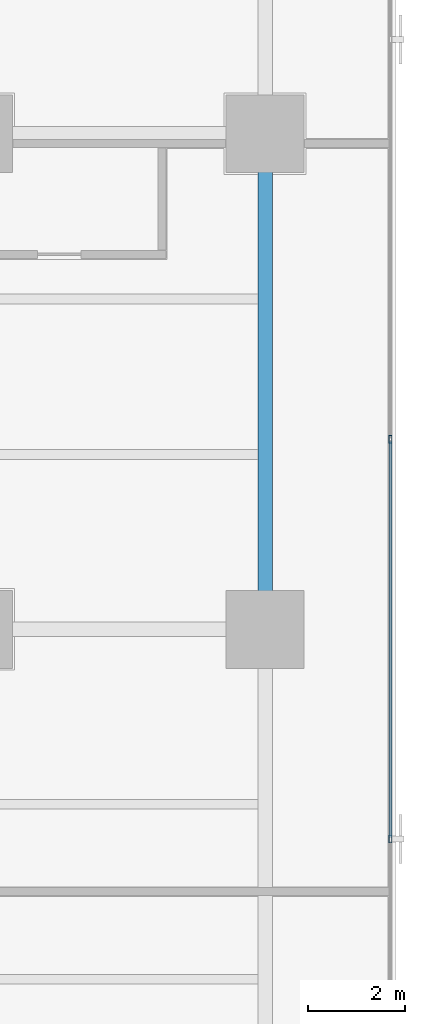
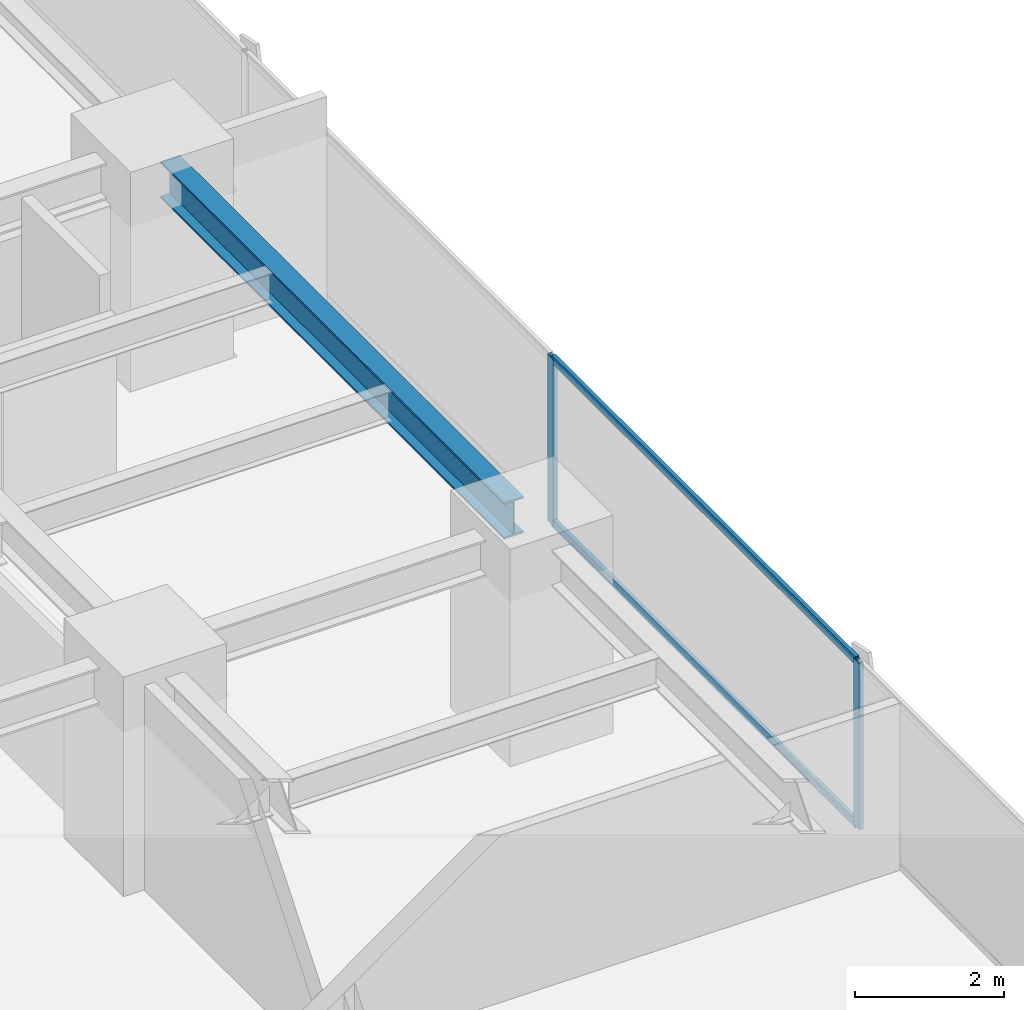
# One storey, part 16 of 37: 4 members, 1 beam, 1 element without a shape of its own.
"""IFC4 building model written with IfcOpenShell, lengths in metres."""

from ifc_helpers import new_model, si_unit, direction, frame, origin, origin_2d, place, context, subcontext, project, spatial, hollow_rectangle, i_section, extrude, source, transform, mapped, material, layer, layer_set, material_profile, profile_set, type_object, element, aggregate, save


model = new_model("IFC4")

# Units and contexts
model_context = context("Model", 3, precision=1e-05, world=origin(), true_north=direction((0.0, 1.0)))
body_context = subcontext(model_context, "Body", "Model", "MODEL_VIEW")
ifc_project = project(units=[si_unit("LENGTHUNIT", "METRE"), si_unit("AREAUNIT", "SQUARE_METRE"), si_unit("VOLUMEUNIT", "CUBIC_METRE"), si_unit("PLANEANGLEUNIT", "RADIAN"), si_unit("MASSUNIT", "GRAM", prefix="KILO")], contexts=[model_context])

# Site, building, storey
site_placement = place(None, origin())
site = spatial("IfcSite", under=ifc_project, at=site_placement, CompositionType="ELEMENT")
building_placement = place(site_placement, origin())
building = spatial("IfcBuilding", under=site, at=building_placement, Name="Sumidabori Civic Tower", CompositionType="ELEMENT")
storey_placement = place(building_placement, frame((0.0, 0.0, 110.0)))
storey = spatial("IfcBuildingStorey", under=building, at=storey_placement, Name="L28", CompositionType="ELEMENT", Elevation=110.0)

# Beam
ifc_material_1 = material(Name="Steel SN490", Category="steel")
ifc_material_profile_1 = material_profile(ifc_material_1, i_section(OverallWidth=0.300048828125, OverallDepth=0.60009765625, WebThickness=0.015380859375, FlangeThickness=0.030029296875, at=origin_2d()), Name="HE 600 B")
ifc_profile_set_1 = profile_set([ifc_material_profile_1], Name="Steel SN490")
beam_type = type_object("IfcBeamType", Name="BM-GIRD-600", PredefinedType="BEAM", material=ifc_profile_set_1)
shared_shape_1 = source(origin(), body_context, "Body", "SweptSolid", [
    extrude(i_section(OverallWidth=0.300048828125, OverallDepth=0.60009765625, WebThickness=0.015380859375, FlangeThickness=0.030029296875, at=origin_2d()), origin(), (0.0, 0.0, 1.0), 9.239990234375),
])
beam_placement = place(storey_placement, frame((22.800048828125, 0.47998046875, 3.06005859375), z_axis=(0.0, 1.0, 0.0), x_axis=(-1.0, 0.0, 0.0)))
element("IfcBeam", 1, at=beam_placement, inside=storey, type_object=beam_type, Name="Primary Girder L28 GY-41", PredefinedType="BEAM", context=body_context, shape_type="MappedRepresentation", body=[
    mapped(shared_shape_1, transform((0.0, 0.0, 0.0), x_axis=(1.0, 0.0, 0.0), y_axis=(0.0, 1.0, 0.0), z_axis=(0.0, 0.0, 1.0), scale=1.0)),
])

# Curtain wall, members
ifc_material_2 = material(Name="Anodised Bronze Aluminium AW-6063-T6", Category="aluminium")
ifc_layer = layer(ifc_material_2, 0.179931640625, Name="Anodised Bronze Aluminium AW-6063-T6")
ifc_layer_set = layer_set([ifc_layer], Name="Anodised Bronze Aluminium AW-6063-T6")
curtain_wall_type = type_object("IfcCurtainWallType", Name="CW-SYS-3", PredefinedType="NOTDEFINED", material=ifc_layer_set)
curtain_wall_placement = place(storey_placement, origin())
curtain_wall = element("IfcCurtainWall", 2, at=curtain_wall_placement, inside=storey, type_object=curtain_wall_type, Name="Curtain Wall CW:L28:R04", PredefinedType="NOTDEFINED")
ifc_material_profile_2 = material_profile(ifc_material_2, hollow_rectangle(XDim=0.06494140625, YDim=0.159912109375, WallThickness=0.0048828125, at=origin_2d()), Name="ALU MULLION 160x65")
ifc_profile_set_2 = profile_set([ifc_material_profile_2], Name="Anodised Bronze Aluminium AW-6063-T6")
member_type_1 = type_object("IfcMemberType", Name="CW-MUL-160", PredefinedType="MULLION", material=ifc_profile_set_2)
shared_shape_2 = source(origin(), body_context, "Body", "SweptSolid", [
    extrude(hollow_rectangle(XDim=0.06494140625, YDim=0.159912109375, WallThickness=0.0048828125, at=origin_2d()), origin(), (0.0, 0.0, 1.0), 2.739990234375),
])
member_1_placement = place(storey_placement, frame((25.3798828125, -4.31396484375, 0.0), z_axis=(0.0, 0.0, 1.0), x_axis=(-1.0, 0.0, 0.0)))
member_1 = element("IfcMember", 3, at=member_1_placement, type_object=member_type_1, Name="CW-3 mullion 3", PredefinedType="MULLION", context=body_context, shape_type="MappedRepresentation", body=[
    mapped(shared_shape_2, transform((0.0, 0.0, 0.0), x_axis=(1.0, 0.0, 0.0), y_axis=(0.0, 1.0, 0.0), z_axis=(0.0, 0.0, 1.0), scale=1.0)),
])
member_2_placement = place(storey_placement, frame((25.3798828125, 3.9140625, 0.0), z_axis=(0.0, 0.0, 1.0), x_axis=(-1.0, 0.0, 0.0)))
member_2 = element("IfcMember", 4, at=member_2_placement, type_object=member_type_1, Name="CW-3 mullion 4", PredefinedType="MULLION", context=body_context, shape_type="MappedRepresentation", body=[
    mapped(shared_shape_2, transform((0.0, 0.0, 0.0), x_axis=(1.0, 0.0, 0.0), y_axis=(0.0, 1.0, 0.0), z_axis=(0.0, 0.0, 1.0), scale=1.0)),
])
ifc_material_profile_3 = material_profile(ifc_material_2, hollow_rectangle(XDim=0.06005859375, YDim=0.1298828125, WallThickness=0.0048828125, at=origin_2d()), Name="ALU TRANSOM 130x60")
ifc_profile_set_3 = profile_set([ifc_material_profile_3], Name="Anodised Bronze Aluminium AW-6063-T6")
member_type_2 = type_object("IfcMemberType", Name="CW-TRN-130", PredefinedType="USERDEFINED", material=ifc_profile_set_3)
shared_shape_3 = source(origin(), body_context, "Body", "SweptSolid", [
    extrude(hollow_rectangle(XDim=0.06005859375, YDim=0.1298828125, WallThickness=0.0048828125, at=origin_2d()), origin(), (0.0, 0.0, 1.0), 8.1630859375),
])
member_3_placement = place(storey_placement, frame((25.3798828125, -4.281494140625, 0.030029296875), z_axis=(0.0, 1.0, 0.0), x_axis=(-1.0, 0.0, 0.0)))
member_3 = element("IfcMember", 5, at=member_3_placement, type_object=member_type_2, Name="CW-3 transom 3.1", ObjectType="TRANSOM", PredefinedType="USERDEFINED", context=body_context, shape_type="MappedRepresentation", body=[
    mapped(shared_shape_3, transform((0.0, 0.0, 0.0), x_axis=(1.0, 0.0, 0.0), y_axis=(0.0, 1.0, 0.0), z_axis=(0.0, 0.0, 1.0), scale=1.0)),
])
member_4_placement = place(storey_placement, frame((25.3798828125, -4.281494140625, 2.7099609375), z_axis=(0.0, 1.0, 0.0), x_axis=(-1.0, 0.0, 0.0)))
member_4 = element("IfcMember", 6, at=member_4_placement, type_object=member_type_2, Name="CW-3 transom 3.2", ObjectType="TRANSOM", PredefinedType="USERDEFINED", context=body_context, shape_type="MappedRepresentation", body=[
    mapped(shared_shape_3, transform((0.0, 0.0, 0.0), x_axis=(1.0, 0.0, 0.0), y_axis=(0.0, 1.0, 0.0), z_axis=(0.0, 0.0, 1.0), scale=1.0)),
])
aggregate(curtain_wall, [member_1, member_2, member_3, member_4])

save(model, "model.ifc")
